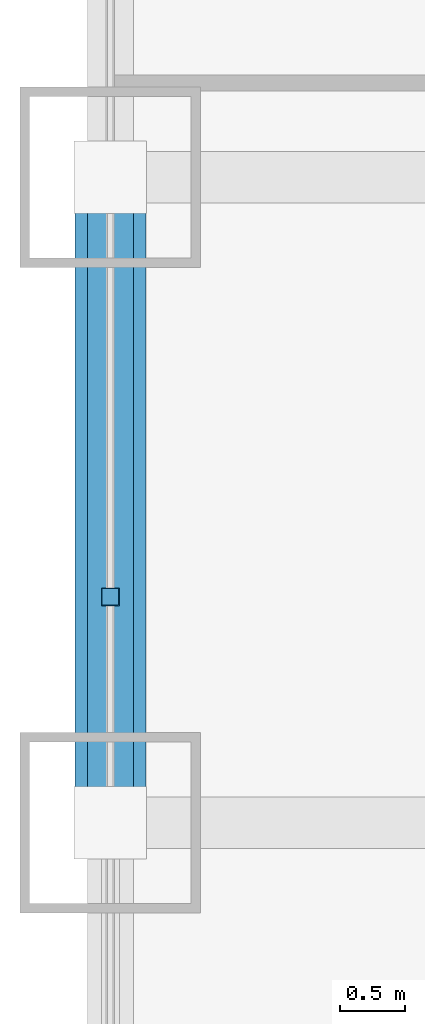
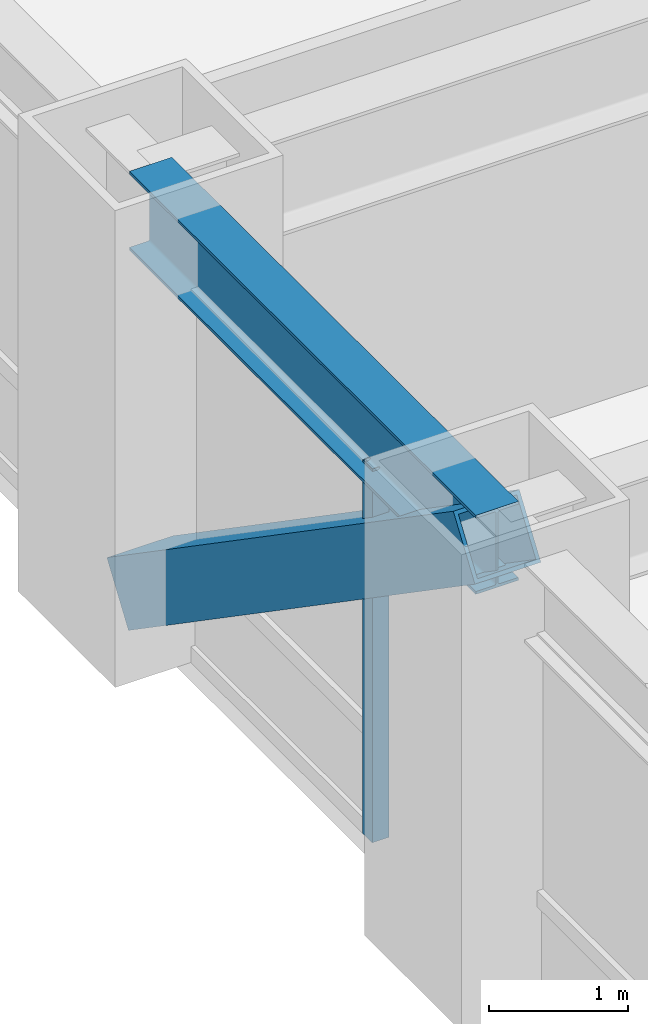
# One storey, part 6 of 27: 2 members, 1 beam, 1 element without a shape of its own.
"""IFC4 building model written with IfcOpenShell, lengths in metres."""

from ifc_helpers import new_model, si_unit, direction, frame, origin, origin_2d, place, context, subcontext, project, spatial, hollow_rectangle, i_section, extrude, source, transform, mapped, material, material_profile, profile_set, type_object, element, aggregate, save


model = new_model("IFC4")

# Units and contexts
model_context = context("Model", 3, precision=1e-05, world=origin(), true_north=direction((0.0, 1.0)))
body_context = subcontext(model_context, "Body", "Model", "MODEL_VIEW")
ifc_project = project(units=[si_unit("LENGTHUNIT", "METRE"), si_unit("AREAUNIT", "SQUARE_METRE"), si_unit("VOLUMEUNIT", "CUBIC_METRE"), si_unit("PLANEANGLEUNIT", "RADIAN"), si_unit("MASSUNIT", "GRAM", prefix="KILO")], contexts=[model_context])

# Site, building, storey
site_placement = place(None, origin())
site = spatial("IfcSite", under=ifc_project, at=site_placement, CompositionType="ELEMENT")
building_placement = place(site_placement, origin())
building = spatial("IfcBuilding", under=site, at=building_placement, Name="Khorayat Bourse Tower", CompositionType="ELEMENT")
storey_placement = place(building_placement, frame((0.0, 0.0, 49.39990234375)))
storey = spatial("IfcBuildingStorey", under=building, at=storey_placement, Name="L10", CompositionType="ELEMENT", Elevation=49.39990234375)

# Beam
ifc_material_1 = material(Name="Steel ASTM A992 Grade 50", Category="steel")
ifc_material_profile_1 = material_profile(ifc_material_1, i_section(OverallWidth=0.35498046875, OverallDepth=0.695068359375, WebThickness=0.015380859375, FlangeThickness=0.02490234375, FilletRadius=0.01806640625, at=origin_2d()), Name="W690X217")
ifc_profile_set_1 = profile_set([ifc_material_profile_1], Name="Steel ASTM A992 Grade 50")
beam_type = type_object("IfcBeamType", Name="BM-SPAN-690", PredefinedType="SPANDREL", material=ifc_profile_set_1)
shared_shape_1 = source(origin(), body_context, "Body", "SweptSolid", [
    extrude(i_section(OverallWidth=0.35498046875, OverallDepth=0.695068359375, WebThickness=0.015380859375, FlangeThickness=0.02490234375, FilletRadius=0.01806640625, at=origin_2d()), origin(), (0.0, 0.0, 1.0), 5.0),
])
beam_placement = place(storey_placement, frame((-32.0, -11.0, 3.592529296875), z_axis=(0.0, 1.0, 0.0), x_axis=(-1.0, 0.0, 0.0)))
element("IfcBeam", 1, at=beam_placement, inside=storey, type_object=beam_type, Name="L10 BM-SPAN-690 BM-L10-SPN-059", PredefinedType="SPANDREL", context=body_context, shape_type="MappedRepresentation", body=[
    mapped(shared_shape_1, transform((0.0, 0.0, 0.0), scale=1.0)),
])

# Member
ifc_material_2 = material(Name="Steel EN 10025-4 S460M", Category="steel")
ifc_material_profile_2 = material_profile(ifc_material_2, hollow_rectangle(XDim=0.550048828125, YDim=0.550048828125, WallThickness=0.031982421875, at=origin_2d()), Name="HSS 550x550x32")
ifc_profile_set_2 = profile_set([ifc_material_profile_2], Name="Steel EN 10025-4 S460M")
member_type_1 = type_object("IfcMemberType", Name="MBR-TUBE-550", PredefinedType="BRACE", material=ifc_profile_set_2)
shared_shape_2 = source(origin(), body_context, "Body", "SweptSolid", [
    extrude(hollow_rectangle(XDim=0.550048828125, YDim=0.550048828125, WallThickness=0.031982421875, at=origin_2d()), origin(), (0.0, 0.0, 1.0), 6.069091796875),
])
member_1_placement = place(storey_placement, frame((-32.0, -11.0, 3.690185546875), z_axis=(0.0, 0.823835295996, -0.566829255659), x_axis=(-1.0, 0.0, 0.0)))
element("IfcMember", 2, at=member_1_placement, inside=storey, type_object=member_type_1, Name="L10 Perimeter Tube Brace 05", PredefinedType="BRACE", context=body_context, shape_type="MappedRepresentation", body=[
    mapped(shared_shape_2, transform((0.0, 0.0, 0.0), scale=1.0)),
])

# Curtain wall, member
ifc_material_3 = material(Name="Aluminium EN AW-6063 T6", Category="aluminium")
curtain_wall_type = type_object("IfcCurtainWallType", Name="CW-SYS-02", PredefinedType="NOTDEFINED", material=ifc_material_3)
curtain_wall_placement = place(storey_placement, origin())
curtain_wall = element("IfcCurtainWall", 3, at=curtain_wall_placement, inside=storey, type_object=curtain_wall_type, Name="L10 Curtain Wall CW-L10-W1", PredefinedType="NOTDEFINED")
ifc_material_profile_3 = material_profile(ifc_material_3, hollow_rectangle(XDim=0.139892578125, YDim=0.139892578125, WallThickness=0.006103515625, at=origin_2d()), Name="ALU 140x140x6")
ifc_profile_set_3 = profile_set([ifc_material_profile_3], Name="Aluminium EN AW-6063 T6")
member_type_2 = type_object("IfcMemberType", Name="CWM-VERT-140", PredefinedType="MULLION", material=ifc_profile_set_3)
shared_shape_3 = source(origin(), body_context, "Body", "SweptSolid", [
    extrude(hollow_rectangle(XDim=0.139892578125, YDim=0.139892578125, WallThickness=0.006103515625, at=origin_2d()), origin(), (0.0, 0.0, 1.0), 3.2900390625),
])
member_2_placement = place(storey_placement, frame((-32.0, -9.25, 0.0), z_axis=(0.0, 0.0, 1.0), x_axis=(-1.0, 0.0, 0.0)))
member_2 = element("IfcMember", 4, at=member_2_placement, type_object=member_type_2, Name="CW-L10-W1 Vertical Mullion 2", PredefinedType="MULLION", context=body_context, shape_type="MappedRepresentation", body=[
    mapped(shared_shape_3, transform((0.0, 0.0, 0.0), scale=1.0)),
])
aggregate(curtain_wall, [member_2])

save(model, "model.ifc")
